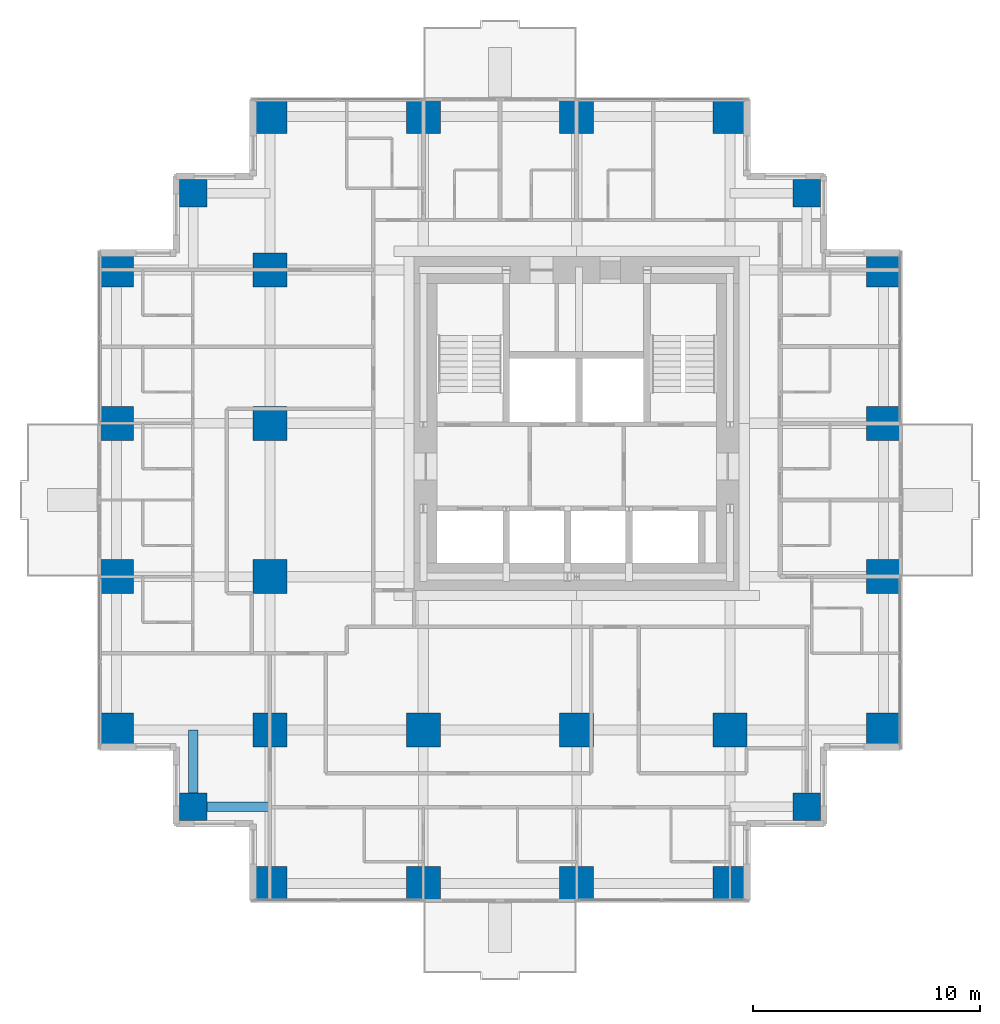
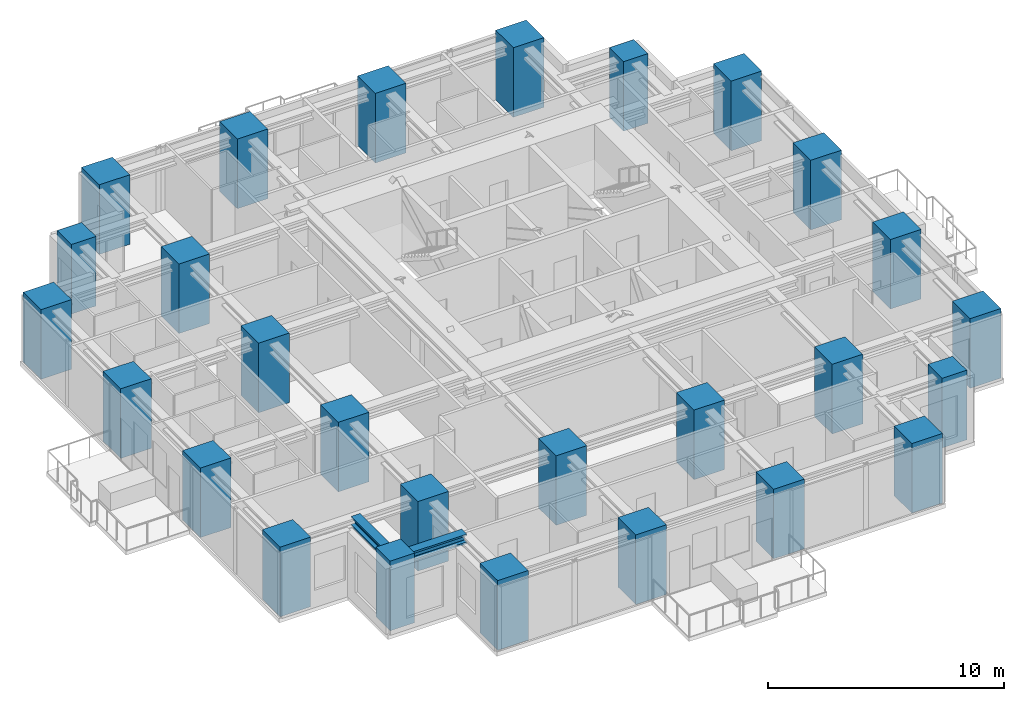
# One storey, part 1 of 10: 27 columns, 2 beams.
"""IFC4 building model written with IfcOpenShell, lengths in metres."""

from ifc_helpers import new_model, si_unit, direction, frame, origin, origin_2d, place, context, subcontext, project, spatial, rectangle, i_section, extrude, material, material_profile, profile_set, type_object, element, save


model = new_model("IFC4")

# Units and contexts
model_context = context("Model", 3, precision=1e-05, world=origin(), true_north=direction((0.0, 1.0)))
body_context = subcontext(model_context, "Body", "Model", "MODEL_VIEW")
ifc_project = project(units=[si_unit("LENGTHUNIT", "METRE"), si_unit("AREAUNIT", "SQUARE_METRE"), si_unit("VOLUMEUNIT", "CUBIC_METRE"), si_unit("PLANEANGLEUNIT", "RADIAN"), si_unit("MASSUNIT", "GRAM", prefix="KILO")], contexts=[model_context])

# Site, building, storey
site_placement = place(None, origin())
site = spatial("IfcSite", under=ifc_project, at=site_placement, CompositionType="ELEMENT")
building_placement = place(site_placement, origin())
building = spatial("IfcBuilding", under=site, at=building_placement, Name="Nyansa Garden Tower", CompositionType="ELEMENT")
storey_placement = place(building_placement, frame((0.0, 0.0, 156.60009765625)))
storey = spatial("IfcBuildingStorey", under=building, at=storey_placement, Name="L42", CompositionType="ELEMENT", Elevation=156.60009765625)

# Columns
ifc_material_1 = material(Name="Concrete C70/85", Category="concrete")
ifc_material_profile_1 = material_profile(ifc_material_1, rectangle(XDim=1.199951171875, YDim=1.199951171875, at=origin_2d()), Name="RC 1200x1200")
ifc_profile_set_1 = profile_set([ifc_material_profile_1], Name="Concrete C70/85")
column_type_1 = type_object("IfcColumnType", Name="Column C120 RC 1200x1200", PredefinedType="COLUMN", material=ifc_profile_set_1)
for number, where, z_axis, x_axis, name in (
    (1, (3.375, 3.375, 0.0), (0.0, 0.0, 1.0), (1.0, 0.0, 0.0), "Column x3.375/y3.375 L42"),
    (2, (3.375, 30.375, 0.0), (0.0, 0.0, 1.0), (1.0, 0.0, 0.0), "Column x3.375/y30.375 L42"),
    (3, (30.375, 3.375, 0.0), (0.0, 0.0, 1.0), (1.0, 0.0, 0.0), "Column x30.375/y3.375 L42"),
    (4, (30.375, 30.375, 0.0), (0.0, 0.0, 1.0), (1.0, 0.0, 0.0), "Column x30.375/y30.375 L42"),
):
    element("IfcColumn", number, at=place(storey_placement, frame(where, z_axis=z_axis, x_axis=x_axis)), inside=storey, type_object=column_type_1, Name=name, PredefinedType="COLUMN", context=body_context, shape_type="SweptSolid", body=[
        extrude(rectangle(XDim=1.199951171875, YDim=1.199951171875, at=origin_2d()), origin(), (0.0, 0.0, 1.0), 3.599853515625),
    ])
ifc_material_2 = material(Name="Concrete C80/95", Category="concrete")
ifc_material_profile_2 = material_profile(ifc_material_2, rectangle(XDim=1.5, YDim=1.5, at=origin_2d()), Name="RC 1500x1500")
ifc_profile_set_2 = profile_set([ifc_material_profile_2], Name="Concrete C80/95")
column_type_2 = type_object("IfcColumnType", Name="Column C150 RC 1500x1500", PredefinedType="COLUMN", material=ifc_profile_set_2)
for number, where, z_axis, x_axis, name in (
    (5, (0.0, 6.75, 0.0), (0.0, 0.0, 1.0), (1.0, 0.0, 0.0), "Column 2/E L42"),
    (6, (0.0, 13.5, 0.0), (0.0, 0.0, 1.0), (1.0, 0.0, 0.0), "Column 2/F L42"),
    (7, (0.0, 20.25, 0.0), (0.0, 0.0, 1.0), (1.0, 0.0, 0.0), "Column 2/G L42"),
    (8, (0.0, 27.0, 0.0), (0.0, 0.0, 1.0), (1.0, 0.0, 0.0), "Column 2/H L42"),
    (9, (6.75, 0.0, 0.0), (0.0, 0.0, 1.0), (1.0, 0.0, 0.0), "Column 3/D L42"),
    (10, (6.75, 6.75, 0.0), (0.0, 0.0, 1.0), (1.0, 0.0, 0.0), "Column 3/E L42"),
    (11, (6.75, 13.5, 0.0), (0.0, 0.0, 1.0), (1.0, 0.0, 0.0), "Column 3/F L42"),
    (12, (6.75, 20.25, 0.0), (0.0, 0.0, 1.0), (1.0, 0.0, 0.0), "Column 3/G L42"),
    (13, (6.75, 27.0, 0.0), (0.0, 0.0, 1.0), (1.0, 0.0, 0.0), "Column 3/H L42"),
    (14, (6.75, 33.75, 0.0), (0.0, 0.0, 1.0), (1.0, 0.0, 0.0), "Column 3/J L42"),
    (15, (13.5, 0.0, 0.0), (0.0, 0.0, 1.0), (1.0, 0.0, 0.0), "Column 4/D L42"),
    (16, (13.5, 6.75, 0.0), (0.0, 0.0, 1.0), (1.0, 0.0, 0.0), "Column 4/E L42"),
    (17, (13.5, 33.75, 0.0), (0.0, 0.0, 1.0), (1.0, 0.0, 0.0), "Column 4/J L42"),
    (18, (20.25, 0.0, 0.0), (0.0, 0.0, 1.0), (1.0, 0.0, 0.0), "Column 5/D L42"),
    (19, (20.25, 6.75, 0.0), (0.0, 0.0, 1.0), (1.0, 0.0, 0.0), "Column 5/E L42"),
    (20, (20.25, 33.75, 0.0), (0.0, 0.0, 1.0), (1.0, 0.0, 0.0), "Column 5/J L42"),
    (21, (27.0, 0.0, 0.0), (0.0, 0.0, 1.0), (1.0, 0.0, 0.0), "Column 6/D L42"),
    (22, (27.0, 6.75, 0.0), (0.0, 0.0, 1.0), (1.0, 0.0, 0.0), "Column 6/E L42"),
    (23, (27.0, 33.75, 0.0), (0.0, 0.0, 1.0), (1.0, 0.0, 0.0), "Column 6/J L42"),
    (24, (33.75, 6.75, 0.0), (0.0, 0.0, 1.0), (1.0, 0.0, 0.0), "Column 7/E L42"),
    (25, (33.75, 13.5, 0.0), (0.0, 0.0, 1.0), (1.0, 0.0, 0.0), "Column 7/F L42"),
    (26, (33.75, 20.25, 0.0), (0.0, 0.0, 1.0), (1.0, 0.0, 0.0), "Column 7/G L42"),
    (27, (33.75, 27.0, 0.0), (0.0, 0.0, 1.0), (1.0, 0.0, 0.0), "Column 7/H L42"),
):
    element("IfcColumn", number, at=place(storey_placement, frame(where, z_axis=z_axis, x_axis=x_axis)), inside=storey, type_object=column_type_2, Name=name, PredefinedType="COLUMN", context=body_context, shape_type="SweptSolid", body=[
        extrude(rectangle(XDim=1.5, YDim=1.5, at=origin_2d()), origin(), (0.0, 0.0, 1.0), 3.599853515625),
    ])

# Beams
ifc_material_3 = material(Name="Steel S355", Category="steel")
ifc_material_profile_3 = material_profile(ifc_material_3, i_section(OverallWidth=0.431884765625, OverallDepth=0.498046875, WebThickness=0.0556640625, FlangeThickness=0.0888671875, FilletRadius=0.014892578125, at=origin_2d()), Name="HD 400x744")
ifc_profile_set_3 = profile_set([ifc_material_profile_3], Name="Steel S355")
beam_type = type_object("IfcBeamType", Name="Steel beam SSB1-744 HD 400x744", PredefinedType="BEAM", material=ifc_profile_set_3)
for number, where, z_axis, x_axis, name in (
    (28, (3.375, 3.375, 3.1259765625), (0.0, 1.0, 0.0), (-1.0, 0.0, 0.0), "Steel step beam 3.375/3.375 L43"),
    (29, (3.375, 3.375, 3.1259765625), (1.0, 0.0, 0.0), (0.0, 1.0, 0.0), "Steel step beam 3.375/3.375 L43"),
):
    element("IfcBeam", number, at=place(storey_placement, frame(where, z_axis=z_axis, x_axis=x_axis)), inside=storey, type_object=beam_type, Name=name, PredefinedType="BEAM", context=body_context, shape_type="SweptSolid", body=[
        extrude(i_section(OverallWidth=0.431884765625, OverallDepth=0.498046875, WebThickness=0.0556640625, FlangeThickness=0.0888671875, FilletRadius=0.014892578125, at=origin_2d()), origin(), (0.0, 0.0, 1.0), 3.375),
    ])

save(model, "model.ifc")
